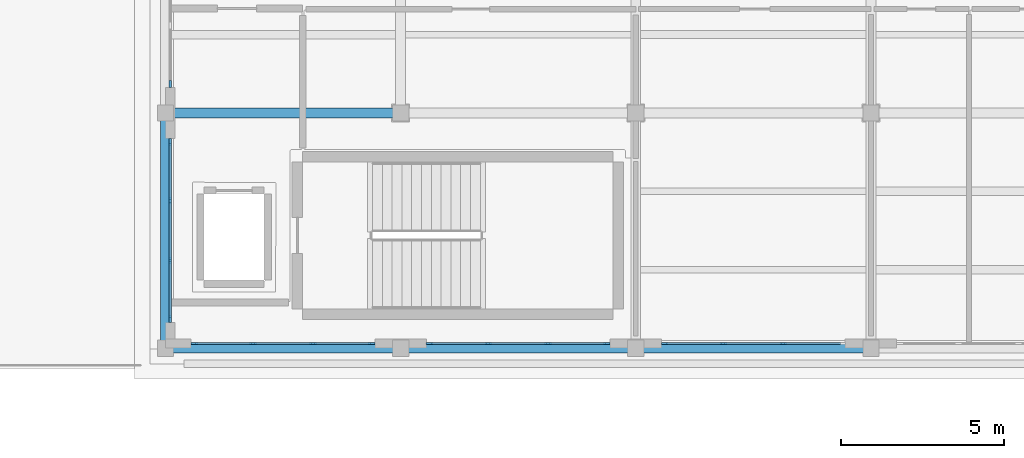
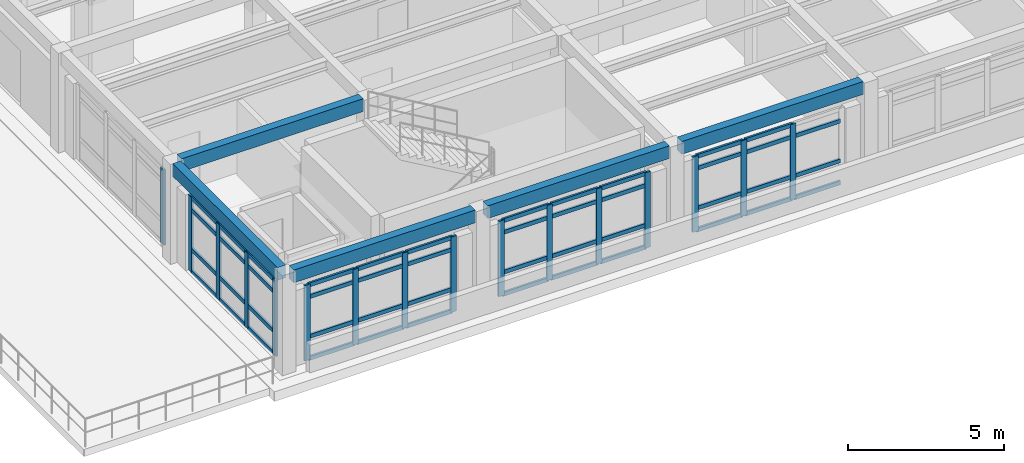
# One storey, part 2 of 15: 63 members, 5 beams, 5 elements without a shape of their own.
"""IFC4 building model written with IfcOpenShell, lengths in metres."""

from ifc_helpers import new_model, si_unit, direction, frame, origin, origin_2d, place, context, subcontext, project, spatial, rectangle, extrude, material, layer, layer_set, material_profile, profile_set, type_object, element, aggregate, save


model = new_model("IFC4")

# Units and contexts
model_context = context("Model", 3, precision=1e-05, world=origin(), true_north=direction((0.0, 1.0)))
body_context = subcontext(model_context, "Body", "Model", "MODEL_VIEW")
ifc_project = project(units=[si_unit("LENGTHUNIT", "METRE"), si_unit("AREAUNIT", "SQUARE_METRE"), si_unit("VOLUMEUNIT", "CUBIC_METRE"), si_unit("PLANEANGLEUNIT", "RADIAN"), si_unit("MASSUNIT", "GRAM", prefix="KILO")], contexts=[model_context])

# Site, building, storey
site_placement = place(None, origin())
site = spatial("IfcSite", under=ifc_project, at=site_placement, CompositionType="ELEMENT")
building_placement = place(site_placement, origin())
building = spatial("IfcBuilding", under=site, at=building_placement, Name="Solenvale Faculty of Natural Sciences", CompositionType="ELEMENT")
storey_placement = place(building_placement, frame((0.0, 0.0, 48.0)))
storey = spatial("IfcBuildingStorey", under=building, at=storey_placement, Name="L11", CompositionType="ELEMENT", Elevation=48.0)

# Beams
ifc_material_1 = material(Name="Concrete 40 MPa", Category="concrete")
ifc_material_profile_1 = material_profile(ifc_material_1, rectangle(XDim=0.300048828125, YDim=0.5, at=origin_2d()), Name="RC-BM-300x500")
ifc_profile_set_1 = profile_set([ifc_material_profile_1], Name="Concrete 40 MPa")
beam_type = type_object("IfcBeamType", Name="BM-RC-300x500", PredefinedType="BEAM", material=ifc_profile_set_1)
for number, where, z_axis, x_axis, name in (
    (1, (101.030029296875, 93.60009765625, 3.669921875), (1.0, 0.0, 0.0), (0.0, 1.0, 0.0), "L11 X-Girder Y93.6 (100.8..108.0)"),
    (2, (108.22998046875, 93.60009765625, 3.669921875), (1.0, 0.0, 0.0), (0.0, 1.0, 0.0), "L11 X-Girder Y93.6 (108.0..115.2)"),
    (3, (115.429931640625, 93.60009765625, 3.669921875), (1.0, 0.0, 0.0), (0.0, 1.0, 0.0), "L11 X-Girder Y93.6 (115.2..122.4)"),
    (4, (101.030029296875, 100.800048828125, 3.669921875), (1.0, 0.0, 0.0), (0.0, 1.0, 0.0), "L11 X-Girder Y100.8 (100.8..108.0)"),
    (5, (100.800048828125, 93.830078125, 3.669921875), (0.0, 1.0, 0.0), (-1.0, 0.0, 0.0), "L11 Y-Girder X100.8 (93.6..100.8)"),
):
    element("IfcBeam", number, at=place(storey_placement, frame(where, z_axis=z_axis, x_axis=x_axis)), inside=storey, type_object=beam_type, Name=name, PredefinedType="BEAM", context=body_context, shape_type="SweptSolid", body=[
        extrude(rectangle(XDim=0.300048828125, YDim=0.5, at=origin_2d()), origin(), (0.0, 0.0, 1.0), 6.739990234375),
    ])

# Curtain wall, member
ifc_material_2 = material(Name="Anodised bronze aluminium", Category="aluminium")
ifc_layer = layer(ifc_material_2, 0.179931640625)
ifc_layer_set = layer_set([ifc_layer], Name="Anodised bronze aluminium")
curtain_wall_type = type_object("IfcCurtainWallType", Name="CW-TWR-MOD", PredefinedType="USERDEFINED", material=ifc_layer_set)
curtain_wall_1_placement = place(storey_placement, origin())
curtain_wall_1 = element("IfcCurtainWall", 6, at=curtain_wall_1_placement, inside=storey, type_object=curtain_wall_type, Name="L11 Curtain Wall CW-L11-P1-E3-B2", ObjectType="UNITISED CURTAIN WALL", PredefinedType="USERDEFINED")
ifc_material_profile_2 = material_profile(ifc_material_2, rectangle(XDim=0.074951171875, YDim=0.2099609375, at=origin_2d()), Name="ALU-MUL-75x210")
ifc_profile_set_2 = profile_set([ifc_material_profile_2], Name="Anodised bronze aluminium")
member_type_1 = type_object("IfcMemberType", Name="CWM-ALU-75x210", PredefinedType="MULLION", material=ifc_profile_set_2)
member_1_placement = place(storey_placement, frame((100.9423828125, 101.6875, 0.0), z_axis=(0.0, 0.0, 1.0), x_axis=(1.0, 0.0, 0.0)))
member_1 = element("IfcMember", 7, at=member_1_placement, type_object=member_type_1, Name="CW-04 mullion 4", PredefinedType="MULLION", context=body_context, shape_type="SweptSolid", body=[
    extrude(rectangle(XDim=0.074951171875, YDim=0.2099609375, at=origin_2d()), origin(), (0.0, 0.0, 1.0), 2.9599609375),
])
aggregate(curtain_wall_1, [member_1])

# Curtain wall, members
curtain_wall_2_placement = place(storey_placement, origin())
curtain_wall_2 = element("IfcCurtainWall", 8, at=curtain_wall_2_placement, inside=storey, type_object=curtain_wall_type, Name="L11 Curtain Wall CW-L11-P1-E3-B3", ObjectType="UNITISED CURTAIN WALL", PredefinedType="USERDEFINED")
member_2_placement = place(storey_placement, frame((100.9423828125, 99.91259765625, 0.0), z_axis=(0.0, 0.0, 1.0), x_axis=(1.0, 0.0, 0.0)))
member_2 = element("IfcMember", 9, at=member_2_placement, type_object=member_type_1, Name="CW-04 mullion 1", PredefinedType="MULLION", context=body_context, shape_type="SweptSolid", body=[
    extrude(rectangle(XDim=0.074951171875, YDim=0.2099609375, at=origin_2d()), origin(), (0.0, 0.0, 1.0), 2.9599609375),
])
member_3_placement = place(storey_placement, frame((100.9423828125, 98.11669921875, 0.0), z_axis=(0.0, 0.0, 1.0), x_axis=(1.0, 0.0, 0.0)))
member_3 = element("IfcMember", 10, at=member_3_placement, type_object=member_type_1, Name="CW-04 mullion 2", PredefinedType="MULLION", context=body_context, shape_type="SweptSolid", body=[
    extrude(rectangle(XDim=0.074951171875, YDim=0.2099609375, at=origin_2d()), origin(), (0.0, 0.0, 1.0), 2.9599609375),
])
member_4_placement = place(storey_placement, frame((100.9423828125, 96.283447265625, 0.0), z_axis=(0.0, 0.0, 1.0), x_axis=(1.0, 0.0, 0.0)))
member_4 = element("IfcMember", 11, at=member_4_placement, type_object=member_type_1, Name="CW-04 mullion 3", PredefinedType="MULLION", context=body_context, shape_type="SweptSolid", body=[
    extrude(rectangle(XDim=0.074951171875, YDim=0.2099609375, at=origin_2d()), origin(), (0.0, 0.0, 1.0), 2.9599609375),
])
member_5_placement = place(storey_placement, frame((100.9423828125, 94.487548828125, 0.0), z_axis=(0.0, 0.0, 1.0), x_axis=(1.0, 0.0, 0.0)))
member_5 = element("IfcMember", 12, at=member_5_placement, type_object=member_type_1, Name="CW-04 mullion 4", PredefinedType="MULLION", context=body_context, shape_type="SweptSolid", body=[
    extrude(rectangle(XDim=0.074951171875, YDim=0.2099609375, at=origin_2d()), origin(), (0.0, 0.0, 1.0), 2.9599609375),
])

curtain_wall_3_placement = place(storey_placement, origin())
curtain_wall_3 = element("IfcCurtainWall", 13, at=curtain_wall_3_placement, inside=storey, type_object=curtain_wall_type, Name="L11 Curtain Wall CW-L11-P1-E4-B1", ObjectType="UNITISED CURTAIN WALL", PredefinedType="USERDEFINED")
member_6_placement = place(storey_placement, frame((101.6875, 93.742431640625, 0.0), z_axis=(0.0, 0.0, 1.0), x_axis=(0.0, 1.0, 0.0)))
member_6 = element("IfcMember", 14, at=member_6_placement, type_object=member_type_1, Name="CW-04 mullion 1", PredefinedType="MULLION", context=body_context, shape_type="SweptSolid", body=[
    extrude(rectangle(XDim=0.074951171875, YDim=0.2099609375, at=origin_2d()), origin(), (0.0, 0.0, 1.0), 2.9599609375),
])
member_7_placement = place(storey_placement, frame((103.4833984375, 93.742431640625, 0.0), z_axis=(0.0, 0.0, 1.0), x_axis=(0.0, 1.0, 0.0)))
member_7 = element("IfcMember", 15, at=member_7_placement, type_object=member_type_1, Name="CW-04 mullion 2", PredefinedType="MULLION", context=body_context, shape_type="SweptSolid", body=[
    extrude(rectangle(XDim=0.074951171875, YDim=0.2099609375, at=origin_2d()), origin(), (0.0, 0.0, 1.0), 2.9599609375),
])
member_8_placement = place(storey_placement, frame((105.316650390625, 93.742431640625, 0.0), z_axis=(0.0, 0.0, 1.0), x_axis=(0.0, 1.0, 0.0)))
member_8 = element("IfcMember", 16, at=member_8_placement, type_object=member_type_1, Name="CW-04 mullion 3", PredefinedType="MULLION", context=body_context, shape_type="SweptSolid", body=[
    extrude(rectangle(XDim=0.074951171875, YDim=0.2099609375, at=origin_2d()), origin(), (0.0, 0.0, 1.0), 2.9599609375),
])
member_9_placement = place(storey_placement, frame((107.112548828125, 93.742431640625, 0.0), z_axis=(0.0, 0.0, 1.0), x_axis=(0.0, 1.0, 0.0)))
member_9 = element("IfcMember", 17, at=member_9_placement, type_object=member_type_1, Name="CW-04 mullion 4", PredefinedType="MULLION", context=body_context, shape_type="SweptSolid", body=[
    extrude(rectangle(XDim=0.074951171875, YDim=0.2099609375, at=origin_2d()), origin(), (0.0, 0.0, 1.0), 2.9599609375),
])

curtain_wall_4_placement = place(storey_placement, origin())
curtain_wall_4 = element("IfcCurtainWall", 18, at=curtain_wall_4_placement, inside=storey, type_object=curtain_wall_type, Name="L11 Curtain Wall CW-L11-P1-E4-B2", ObjectType="UNITISED CURTAIN WALL", PredefinedType="USERDEFINED")
member_10_placement = place(storey_placement, frame((108.887451171875, 93.742431640625, 0.0), z_axis=(0.0, 0.0, 1.0), x_axis=(0.0, 1.0, 0.0)))
member_10 = element("IfcMember", 19, at=member_10_placement, type_object=member_type_1, Name="CW-04 mullion 1", PredefinedType="MULLION", context=body_context, shape_type="SweptSolid", body=[
    extrude(rectangle(XDim=0.074951171875, YDim=0.2099609375, at=origin_2d()), origin(), (0.0, 0.0, 1.0), 2.9599609375),
])
member_11_placement = place(storey_placement, frame((110.683349609375, 93.742431640625, 0.0), z_axis=(0.0, 0.0, 1.0), x_axis=(0.0, 1.0, 0.0)))
member_11 = element("IfcMember", 20, at=member_11_placement, type_object=member_type_1, Name="CW-04 mullion 2", PredefinedType="MULLION", context=body_context, shape_type="SweptSolid", body=[
    extrude(rectangle(XDim=0.074951171875, YDim=0.2099609375, at=origin_2d()), origin(), (0.0, 0.0, 1.0), 2.9599609375),
])
member_12_placement = place(storey_placement, frame((112.5166015625, 93.742431640625, 0.0), z_axis=(0.0, 0.0, 1.0), x_axis=(0.0, 1.0, 0.0)))
member_12 = element("IfcMember", 21, at=member_12_placement, type_object=member_type_1, Name="CW-04 mullion 3", PredefinedType="MULLION", context=body_context, shape_type="SweptSolid", body=[
    extrude(rectangle(XDim=0.074951171875, YDim=0.2099609375, at=origin_2d()), origin(), (0.0, 0.0, 1.0), 2.9599609375),
])
member_13_placement = place(storey_placement, frame((114.3125, 93.742431640625, 0.0), z_axis=(0.0, 0.0, 1.0), x_axis=(0.0, 1.0, 0.0)))
member_13 = element("IfcMember", 22, at=member_13_placement, type_object=member_type_1, Name="CW-04 mullion 4", PredefinedType="MULLION", context=body_context, shape_type="SweptSolid", body=[
    extrude(rectangle(XDim=0.074951171875, YDim=0.2099609375, at=origin_2d()), origin(), (0.0, 0.0, 1.0), 2.9599609375),
])

curtain_wall_5_placement = place(storey_placement, origin())
curtain_wall_5 = element("IfcCurtainWall", 23, at=curtain_wall_5_placement, inside=storey, type_object=curtain_wall_type, Name="L11 Curtain Wall CW-L11-P1-E4-B3", ObjectType="UNITISED CURTAIN WALL", PredefinedType="USERDEFINED")
member_14_placement = place(storey_placement, frame((116.08740234375, 93.742431640625, 0.0), z_axis=(0.0, 0.0, 1.0), x_axis=(0.0, 1.0, 0.0)))
member_14 = element("IfcMember", 24, at=member_14_placement, type_object=member_type_1, Name="CW-04 mullion 1", PredefinedType="MULLION", context=body_context, shape_type="SweptSolid", body=[
    extrude(rectangle(XDim=0.074951171875, YDim=0.2099609375, at=origin_2d()), origin(), (0.0, 0.0, 1.0), 2.9599609375),
])
member_15_placement = place(storey_placement, frame((117.88330078125, 93.742431640625, 0.0), z_axis=(0.0, 0.0, 1.0), x_axis=(0.0, 1.0, 0.0)))
member_15 = element("IfcMember", 25, at=member_15_placement, type_object=member_type_1, Name="CW-04 mullion 2", PredefinedType="MULLION", context=body_context, shape_type="SweptSolid", body=[
    extrude(rectangle(XDim=0.074951171875, YDim=0.2099609375, at=origin_2d()), origin(), (0.0, 0.0, 1.0), 2.9599609375),
])
member_16_placement = place(storey_placement, frame((119.716552734375, 93.742431640625, 0.0), z_axis=(0.0, 0.0, 1.0), x_axis=(0.0, 1.0, 0.0)))
member_16 = element("IfcMember", 26, at=member_16_placement, type_object=member_type_1, Name="CW-04 mullion 3", PredefinedType="MULLION", context=body_context, shape_type="SweptSolid", body=[
    extrude(rectangle(XDim=0.074951171875, YDim=0.2099609375, at=origin_2d()), origin(), (0.0, 0.0, 1.0), 2.9599609375),
])

# Member
ifc_material_profile_3 = material_profile(ifc_material_2, rectangle(XDim=0.074951171875, YDim=0.155029296875, at=origin_2d()), Name="ALU-TRN-75x155")
ifc_profile_set_3 = profile_set([ifc_material_profile_3], Name="Anodised bronze aluminium")
member_type_2 = type_object("IfcMemberType", Name="CWT-ALU-75x155", PredefinedType="USERDEFINED", material=ifc_profile_set_3)
member_17_placement = place(storey_placement, frame((100.9423828125, 99.875, 0.03759765625), z_axis=(0.0, -1.0, 0.0), x_axis=(1.0, 0.0, 0.0)))
member_17 = element("IfcMember", 27, at=member_17_placement, type_object=member_type_2, Name="CW-04 transom 1.1", ObjectType="TRANSOM", PredefinedType="USERDEFINED", context=body_context, shape_type="SweptSolid", body=[
    extrude(rectangle(XDim=0.074951171875, YDim=0.155029296875, at=origin_2d()), origin(), (0.0, 0.0, 1.0), 1.720947265625),
])

member_18_placement = place(storey_placement, frame((100.9423828125, 99.875, 0.89990234375), z_axis=(0.0, -1.0, 0.0), x_axis=(1.0, 0.0, 0.0)))
member_18 = element("IfcMember", 28, at=member_18_placement, type_object=member_type_2, Name="CW-04 transom 1.2", ObjectType="TRANSOM", PredefinedType="USERDEFINED", context=body_context, shape_type="SweptSolid", body=[
    extrude(rectangle(XDim=0.074951171875, YDim=0.155029296875, at=origin_2d()), origin(), (0.0, 0.0, 1.0), 1.720947265625),
])

member_19_placement = place(storey_placement, frame((100.9423828125, 99.875, 2.4599609375), z_axis=(0.0, -1.0, 0.0), x_axis=(1.0, 0.0, 0.0)))
member_19 = element("IfcMember", 29, at=member_19_placement, type_object=member_type_2, Name="CW-04 transom 1.3", ObjectType="TRANSOM", PredefinedType="USERDEFINED", context=body_context, shape_type="SweptSolid", body=[
    extrude(rectangle(XDim=0.074951171875, YDim=0.155029296875, at=origin_2d()), origin(), (0.0, 0.0, 1.0), 1.720947265625),
])

member_20_placement = place(storey_placement, frame((100.9423828125, 99.875, 2.922607421875), z_axis=(0.0, -1.0, 0.0), x_axis=(1.0, 0.0, 0.0)))
member_20 = element("IfcMember", 30, at=member_20_placement, type_object=member_type_2, Name="CW-04 transom 1.4", ObjectType="TRANSOM", PredefinedType="USERDEFINED", context=body_context, shape_type="SweptSolid", body=[
    extrude(rectangle(XDim=0.074951171875, YDim=0.155029296875, at=origin_2d()), origin(), (0.0, 0.0, 1.0), 1.720947265625),
])

member_21_placement = place(storey_placement, frame((100.9423828125, 98.0791015625, 0.03759765625), z_axis=(0.0, -1.0, 0.0), x_axis=(1.0, 0.0, 0.0)))
member_21 = element("IfcMember", 31, at=member_21_placement, type_object=member_type_2, Name="CW-04 transom 2.1", ObjectType="TRANSOM", PredefinedType="USERDEFINED", context=body_context, shape_type="SweptSolid", body=[
    extrude(rectangle(XDim=0.074951171875, YDim=0.155029296875, at=origin_2d()), origin(), (0.0, 0.0, 1.0), 1.75830078125),
])

member_22_placement = place(storey_placement, frame((100.9423828125, 98.0791015625, 0.89990234375), z_axis=(0.0, -1.0, 0.0), x_axis=(1.0, 0.0, 0.0)))
member_22 = element("IfcMember", 32, at=member_22_placement, type_object=member_type_2, Name="CW-04 transom 2.2", ObjectType="TRANSOM", PredefinedType="USERDEFINED", context=body_context, shape_type="SweptSolid", body=[
    extrude(rectangle(XDim=0.074951171875, YDim=0.155029296875, at=origin_2d()), origin(), (0.0, 0.0, 1.0), 1.75830078125),
])

member_23_placement = place(storey_placement, frame((100.9423828125, 98.0791015625, 2.4599609375), z_axis=(0.0, -1.0, 0.0), x_axis=(1.0, 0.0, 0.0)))
member_23 = element("IfcMember", 33, at=member_23_placement, type_object=member_type_2, Name="CW-04 transom 2.3", ObjectType="TRANSOM", PredefinedType="USERDEFINED", context=body_context, shape_type="SweptSolid", body=[
    extrude(rectangle(XDim=0.074951171875, YDim=0.155029296875, at=origin_2d()), origin(), (0.0, 0.0, 1.0), 1.75830078125),
])

member_24_placement = place(storey_placement, frame((100.9423828125, 98.0791015625, 2.922607421875), z_axis=(0.0, -1.0, 0.0), x_axis=(1.0, 0.0, 0.0)))
member_24 = element("IfcMember", 34, at=member_24_placement, type_object=member_type_2, Name="CW-04 transom 2.4", ObjectType="TRANSOM", PredefinedType="USERDEFINED", context=body_context, shape_type="SweptSolid", body=[
    extrude(rectangle(XDim=0.074951171875, YDim=0.155029296875, at=origin_2d()), origin(), (0.0, 0.0, 1.0), 1.75830078125),
])

member_25_placement = place(storey_placement, frame((100.9423828125, 96.245849609375, 0.03759765625), z_axis=(0.0, -1.0, 0.0), x_axis=(1.0, 0.0, 0.0)))
member_25 = element("IfcMember", 35, at=member_25_placement, type_object=member_type_2, Name="CW-04 transom 3.1", ObjectType="TRANSOM", PredefinedType="USERDEFINED", context=body_context, shape_type="SweptSolid", body=[
    extrude(rectangle(XDim=0.074951171875, YDim=0.155029296875, at=origin_2d()), origin(), (0.0, 0.0, 1.0), 1.720947265625),
])

member_26_placement = place(storey_placement, frame((100.9423828125, 96.245849609375, 0.89990234375), z_axis=(0.0, -1.0, 0.0), x_axis=(1.0, 0.0, 0.0)))
member_26 = element("IfcMember", 36, at=member_26_placement, type_object=member_type_2, Name="CW-04 transom 3.2", ObjectType="TRANSOM", PredefinedType="USERDEFINED", context=body_context, shape_type="SweptSolid", body=[
    extrude(rectangle(XDim=0.074951171875, YDim=0.155029296875, at=origin_2d()), origin(), (0.0, 0.0, 1.0), 1.720947265625),
])

member_27_placement = place(storey_placement, frame((100.9423828125, 96.245849609375, 2.4599609375), z_axis=(0.0, -1.0, 0.0), x_axis=(1.0, 0.0, 0.0)))
member_27 = element("IfcMember", 37, at=member_27_placement, type_object=member_type_2, Name="CW-04 transom 3.3", ObjectType="TRANSOM", PredefinedType="USERDEFINED", context=body_context, shape_type="SweptSolid", body=[
    extrude(rectangle(XDim=0.074951171875, YDim=0.155029296875, at=origin_2d()), origin(), (0.0, 0.0, 1.0), 1.720947265625),
])

member_28_placement = place(storey_placement, frame((100.9423828125, 96.245849609375, 2.922607421875), z_axis=(0.0, -1.0, 0.0), x_axis=(1.0, 0.0, 0.0)))
member_28 = element("IfcMember", 38, at=member_28_placement, type_object=member_type_2, Name="CW-04 transom 3.4", ObjectType="TRANSOM", PredefinedType="USERDEFINED", context=body_context, shape_type="SweptSolid", body=[
    extrude(rectangle(XDim=0.074951171875, YDim=0.155029296875, at=origin_2d()), origin(), (0.0, 0.0, 1.0), 1.720947265625),
])

aggregate(curtain_wall_2, [member_2, member_3, member_4, member_5, member_17, member_18, member_19, member_20, member_21, member_22, member_23, member_24, member_25, member_26, member_27, member_28])

member_29_placement = place(storey_placement, frame((101.72509765625, 93.742431640625, 0.03759765625), z_axis=(1.0, 0.0, 0.0), x_axis=(0.0, 1.0, 0.0)))
member_29 = element("IfcMember", 39, at=member_29_placement, type_object=member_type_2, Name="CW-04 transom 1.1", ObjectType="TRANSOM", PredefinedType="USERDEFINED", context=body_context, shape_type="SweptSolid", body=[
    extrude(rectangle(XDim=0.074951171875, YDim=0.155029296875, at=origin_2d()), origin(), (0.0, 0.0, 1.0), 1.720703125),
])

member_30_placement = place(storey_placement, frame((101.72509765625, 93.742431640625, 0.89990234375), z_axis=(1.0, 0.0, 0.0), x_axis=(0.0, 1.0, 0.0)))
member_30 = element("IfcMember", 40, at=member_30_placement, type_object=member_type_2, Name="CW-04 transom 1.2", ObjectType="TRANSOM", PredefinedType="USERDEFINED", context=body_context, shape_type="SweptSolid", body=[
    extrude(rectangle(XDim=0.074951171875, YDim=0.155029296875, at=origin_2d()), origin(), (0.0, 0.0, 1.0), 1.720703125),
])

member_31_placement = place(storey_placement, frame((101.72509765625, 93.742431640625, 2.4599609375), z_axis=(1.0, 0.0, 0.0), x_axis=(0.0, 1.0, 0.0)))
member_31 = element("IfcMember", 41, at=member_31_placement, type_object=member_type_2, Name="CW-04 transom 1.3", ObjectType="TRANSOM", PredefinedType="USERDEFINED", context=body_context, shape_type="SweptSolid", body=[
    extrude(rectangle(XDim=0.074951171875, YDim=0.155029296875, at=origin_2d()), origin(), (0.0, 0.0, 1.0), 1.720703125),
])

member_32_placement = place(storey_placement, frame((101.72509765625, 93.742431640625, 2.922607421875), z_axis=(1.0, 0.0, 0.0), x_axis=(0.0, 1.0, 0.0)))
member_32 = element("IfcMember", 42, at=member_32_placement, type_object=member_type_2, Name="CW-04 transom 1.4", ObjectType="TRANSOM", PredefinedType="USERDEFINED", context=body_context, shape_type="SweptSolid", body=[
    extrude(rectangle(XDim=0.074951171875, YDim=0.155029296875, at=origin_2d()), origin(), (0.0, 0.0, 1.0), 1.720703125),
])

member_33_placement = place(storey_placement, frame((103.520751953125, 93.742431640625, 0.03759765625), z_axis=(1.0, 0.0, 0.0), x_axis=(0.0, 1.0, 0.0)))
member_33 = element("IfcMember", 43, at=member_33_placement, type_object=member_type_2, Name="CW-04 transom 2.1", ObjectType="TRANSOM", PredefinedType="USERDEFINED", context=body_context, shape_type="SweptSolid", body=[
    extrude(rectangle(XDim=0.074951171875, YDim=0.155029296875, at=origin_2d()), origin(), (0.0, 0.0, 1.0), 1.75830078125),
])

member_34_placement = place(storey_placement, frame((103.520751953125, 93.742431640625, 0.89990234375), z_axis=(1.0, 0.0, 0.0), x_axis=(0.0, 1.0, 0.0)))
member_34 = element("IfcMember", 44, at=member_34_placement, type_object=member_type_2, Name="CW-04 transom 2.2", ObjectType="TRANSOM", PredefinedType="USERDEFINED", context=body_context, shape_type="SweptSolid", body=[
    extrude(rectangle(XDim=0.074951171875, YDim=0.155029296875, at=origin_2d()), origin(), (0.0, 0.0, 1.0), 1.75830078125),
])

member_35_placement = place(storey_placement, frame((103.520751953125, 93.742431640625, 2.4599609375), z_axis=(1.0, 0.0, 0.0), x_axis=(0.0, 1.0, 0.0)))
member_35 = element("IfcMember", 45, at=member_35_placement, type_object=member_type_2, Name="CW-04 transom 2.3", ObjectType="TRANSOM", PredefinedType="USERDEFINED", context=body_context, shape_type="SweptSolid", body=[
    extrude(rectangle(XDim=0.074951171875, YDim=0.155029296875, at=origin_2d()), origin(), (0.0, 0.0, 1.0), 1.75830078125),
])

member_36_placement = place(storey_placement, frame((103.520751953125, 93.742431640625, 2.922607421875), z_axis=(1.0, 0.0, 0.0), x_axis=(0.0, 1.0, 0.0)))
member_36 = element("IfcMember", 46, at=member_36_placement, type_object=member_type_2, Name="CW-04 transom 2.4", ObjectType="TRANSOM", PredefinedType="USERDEFINED", context=body_context, shape_type="SweptSolid", body=[
    extrude(rectangle(XDim=0.074951171875, YDim=0.155029296875, at=origin_2d()), origin(), (0.0, 0.0, 1.0), 1.75830078125),
])

member_37_placement = place(storey_placement, frame((105.354248046875, 93.742431640625, 0.03759765625), z_axis=(1.0, 0.0, 0.0), x_axis=(0.0, 1.0, 0.0)))
member_37 = element("IfcMember", 47, at=member_37_placement, type_object=member_type_2, Name="CW-04 transom 3.1", ObjectType="TRANSOM", PredefinedType="USERDEFINED", context=body_context, shape_type="SweptSolid", body=[
    extrude(rectangle(XDim=0.074951171875, YDim=0.155029296875, at=origin_2d()), origin(), (0.0, 0.0, 1.0), 1.720703125),
])

member_38_placement = place(storey_placement, frame((105.354248046875, 93.742431640625, 0.89990234375), z_axis=(1.0, 0.0, 0.0), x_axis=(0.0, 1.0, 0.0)))
member_38 = element("IfcMember", 48, at=member_38_placement, type_object=member_type_2, Name="CW-04 transom 3.2", ObjectType="TRANSOM", PredefinedType="USERDEFINED", context=body_context, shape_type="SweptSolid", body=[
    extrude(rectangle(XDim=0.074951171875, YDim=0.155029296875, at=origin_2d()), origin(), (0.0, 0.0, 1.0), 1.720703125),
])

member_39_placement = place(storey_placement, frame((105.354248046875, 93.742431640625, 2.4599609375), z_axis=(1.0, 0.0, 0.0), x_axis=(0.0, 1.0, 0.0)))
member_39 = element("IfcMember", 49, at=member_39_placement, type_object=member_type_2, Name="CW-04 transom 3.3", ObjectType="TRANSOM", PredefinedType="USERDEFINED", context=body_context, shape_type="SweptSolid", body=[
    extrude(rectangle(XDim=0.074951171875, YDim=0.155029296875, at=origin_2d()), origin(), (0.0, 0.0, 1.0), 1.720703125),
])

member_40_placement = place(storey_placement, frame((105.354248046875, 93.742431640625, 2.922607421875), z_axis=(1.0, 0.0, 0.0), x_axis=(0.0, 1.0, 0.0)))
member_40 = element("IfcMember", 50, at=member_40_placement, type_object=member_type_2, Name="CW-04 transom 3.4", ObjectType="TRANSOM", PredefinedType="USERDEFINED", context=body_context, shape_type="SweptSolid", body=[
    extrude(rectangle(XDim=0.074951171875, YDim=0.155029296875, at=origin_2d()), origin(), (0.0, 0.0, 1.0), 1.720703125),
])

aggregate(curtain_wall_3, [member_6, member_7, member_8, member_9, member_29, member_30, member_31, member_32, member_33, member_34, member_35, member_36, member_37, member_38, member_39, member_40])

member_41_placement = place(storey_placement, frame((108.925048828125, 93.742431640625, 0.03759765625), z_axis=(1.0, 0.0, 0.0), x_axis=(0.0, 1.0, 0.0)))
member_41 = element("IfcMember", 51, at=member_41_placement, type_object=member_type_2, Name="CW-04 transom 1.1", ObjectType="TRANSOM", PredefinedType="USERDEFINED", context=body_context, shape_type="SweptSolid", body=[
    extrude(rectangle(XDim=0.074951171875, YDim=0.155029296875, at=origin_2d()), origin(), (0.0, 0.0, 1.0), 1.720703125),
])

member_42_placement = place(storey_placement, frame((108.925048828125, 93.742431640625, 0.89990234375), z_axis=(1.0, 0.0, 0.0), x_axis=(0.0, 1.0, 0.0)))
member_42 = element("IfcMember", 52, at=member_42_placement, type_object=member_type_2, Name="CW-04 transom 1.2", ObjectType="TRANSOM", PredefinedType="USERDEFINED", context=body_context, shape_type="SweptSolid", body=[
    extrude(rectangle(XDim=0.074951171875, YDim=0.155029296875, at=origin_2d()), origin(), (0.0, 0.0, 1.0), 1.720703125),
])

member_43_placement = place(storey_placement, frame((108.925048828125, 93.742431640625, 2.4599609375), z_axis=(1.0, 0.0, 0.0), x_axis=(0.0, 1.0, 0.0)))
member_43 = element("IfcMember", 53, at=member_43_placement, type_object=member_type_2, Name="CW-04 transom 1.3", ObjectType="TRANSOM", PredefinedType="USERDEFINED", context=body_context, shape_type="SweptSolid", body=[
    extrude(rectangle(XDim=0.074951171875, YDim=0.155029296875, at=origin_2d()), origin(), (0.0, 0.0, 1.0), 1.720703125),
])

member_44_placement = place(storey_placement, frame((108.925048828125, 93.742431640625, 2.922607421875), z_axis=(1.0, 0.0, 0.0), x_axis=(0.0, 1.0, 0.0)))
member_44 = element("IfcMember", 54, at=member_44_placement, type_object=member_type_2, Name="CW-04 transom 1.4", ObjectType="TRANSOM", PredefinedType="USERDEFINED", context=body_context, shape_type="SweptSolid", body=[
    extrude(rectangle(XDim=0.074951171875, YDim=0.155029296875, at=origin_2d()), origin(), (0.0, 0.0, 1.0), 1.720703125),
])

member_45_placement = place(storey_placement, frame((110.720947265625, 93.742431640625, 0.03759765625), z_axis=(1.0, 0.0, 0.0), x_axis=(0.0, 1.0, 0.0)))
member_45 = element("IfcMember", 55, at=member_45_placement, type_object=member_type_2, Name="CW-04 transom 2.1", ObjectType="TRANSOM", PredefinedType="USERDEFINED", context=body_context, shape_type="SweptSolid", body=[
    extrude(rectangle(XDim=0.074951171875, YDim=0.155029296875, at=origin_2d()), origin(), (0.0, 0.0, 1.0), 1.75830078125),
])

member_46_placement = place(storey_placement, frame((110.720947265625, 93.742431640625, 0.89990234375), z_axis=(1.0, 0.0, 0.0), x_axis=(0.0, 1.0, 0.0)))
member_46 = element("IfcMember", 56, at=member_46_placement, type_object=member_type_2, Name="CW-04 transom 2.2", ObjectType="TRANSOM", PredefinedType="USERDEFINED", context=body_context, shape_type="SweptSolid", body=[
    extrude(rectangle(XDim=0.074951171875, YDim=0.155029296875, at=origin_2d()), origin(), (0.0, 0.0, 1.0), 1.75830078125),
])

member_47_placement = place(storey_placement, frame((110.720947265625, 93.742431640625, 2.4599609375), z_axis=(1.0, 0.0, 0.0), x_axis=(0.0, 1.0, 0.0)))
member_47 = element("IfcMember", 57, at=member_47_placement, type_object=member_type_2, Name="CW-04 transom 2.3", ObjectType="TRANSOM", PredefinedType="USERDEFINED", context=body_context, shape_type="SweptSolid", body=[
    extrude(rectangle(XDim=0.074951171875, YDim=0.155029296875, at=origin_2d()), origin(), (0.0, 0.0, 1.0), 1.75830078125),
])

member_48_placement = place(storey_placement, frame((110.720947265625, 93.742431640625, 2.922607421875), z_axis=(1.0, 0.0, 0.0), x_axis=(0.0, 1.0, 0.0)))
member_48 = element("IfcMember", 58, at=member_48_placement, type_object=member_type_2, Name="CW-04 transom 2.4", ObjectType="TRANSOM", PredefinedType="USERDEFINED", context=body_context, shape_type="SweptSolid", body=[
    extrude(rectangle(XDim=0.074951171875, YDim=0.155029296875, at=origin_2d()), origin(), (0.0, 0.0, 1.0), 1.75830078125),
])

member_49_placement = place(storey_placement, frame((112.55419921875, 93.742431640625, 0.03759765625), z_axis=(1.0, 0.0, 0.0), x_axis=(0.0, 1.0, 0.0)))
member_49 = element("IfcMember", 59, at=member_49_placement, type_object=member_type_2, Name="CW-04 transom 3.1", ObjectType="TRANSOM", PredefinedType="USERDEFINED", context=body_context, shape_type="SweptSolid", body=[
    extrude(rectangle(XDim=0.074951171875, YDim=0.155029296875, at=origin_2d()), origin(), (0.0, 0.0, 1.0), 1.720703125),
])

member_50_placement = place(storey_placement, frame((112.55419921875, 93.742431640625, 0.89990234375), z_axis=(1.0, 0.0, 0.0), x_axis=(0.0, 1.0, 0.0)))
member_50 = element("IfcMember", 60, at=member_50_placement, type_object=member_type_2, Name="CW-04 transom 3.2", ObjectType="TRANSOM", PredefinedType="USERDEFINED", context=body_context, shape_type="SweptSolid", body=[
    extrude(rectangle(XDim=0.074951171875, YDim=0.155029296875, at=origin_2d()), origin(), (0.0, 0.0, 1.0), 1.720703125),
])

member_51_placement = place(storey_placement, frame((112.55419921875, 93.742431640625, 2.4599609375), z_axis=(1.0, 0.0, 0.0), x_axis=(0.0, 1.0, 0.0)))
member_51 = element("IfcMember", 61, at=member_51_placement, type_object=member_type_2, Name="CW-04 transom 3.3", ObjectType="TRANSOM", PredefinedType="USERDEFINED", context=body_context, shape_type="SweptSolid", body=[
    extrude(rectangle(XDim=0.074951171875, YDim=0.155029296875, at=origin_2d()), origin(), (0.0, 0.0, 1.0), 1.720703125),
])

member_52_placement = place(storey_placement, frame((112.55419921875, 93.742431640625, 2.922607421875), z_axis=(1.0, 0.0, 0.0), x_axis=(0.0, 1.0, 0.0)))
member_52 = element("IfcMember", 62, at=member_52_placement, type_object=member_type_2, Name="CW-04 transom 3.4", ObjectType="TRANSOM", PredefinedType="USERDEFINED", context=body_context, shape_type="SweptSolid", body=[
    extrude(rectangle(XDim=0.074951171875, YDim=0.155029296875, at=origin_2d()), origin(), (0.0, 0.0, 1.0), 1.720703125),
])

aggregate(curtain_wall_4, [member_10, member_11, member_12, member_13, member_41, member_42, member_43, member_44, member_45, member_46, member_47, member_48, member_49, member_50, member_51, member_52])

member_53_placement = place(storey_placement, frame((116.125, 93.742431640625, 0.03759765625), z_axis=(1.0, 0.0, 0.0), x_axis=(0.0, 1.0, 0.0)))
member_53 = element("IfcMember", 63, at=member_53_placement, type_object=member_type_2, Name="CW-04 transom 1.1", ObjectType="TRANSOM", PredefinedType="USERDEFINED", context=body_context, shape_type="SweptSolid", body=[
    extrude(rectangle(XDim=0.074951171875, YDim=0.155029296875, at=origin_2d()), origin(), (0.0, 0.0, 1.0), 1.720947265625),
])

member_54_placement = place(storey_placement, frame((116.125, 93.742431640625, 0.89990234375), z_axis=(1.0, 0.0, 0.0), x_axis=(0.0, 1.0, 0.0)))
member_54 = element("IfcMember", 64, at=member_54_placement, type_object=member_type_2, Name="CW-04 transom 1.2", ObjectType="TRANSOM", PredefinedType="USERDEFINED", context=body_context, shape_type="SweptSolid", body=[
    extrude(rectangle(XDim=0.074951171875, YDim=0.155029296875, at=origin_2d()), origin(), (0.0, 0.0, 1.0), 1.720947265625),
])

member_55_placement = place(storey_placement, frame((116.125, 93.742431640625, 2.4599609375), z_axis=(1.0, 0.0, 0.0), x_axis=(0.0, 1.0, 0.0)))
member_55 = element("IfcMember", 65, at=member_55_placement, type_object=member_type_2, Name="CW-04 transom 1.3", ObjectType="TRANSOM", PredefinedType="USERDEFINED", context=body_context, shape_type="SweptSolid", body=[
    extrude(rectangle(XDim=0.074951171875, YDim=0.155029296875, at=origin_2d()), origin(), (0.0, 0.0, 1.0), 1.720947265625),
])

member_56_placement = place(storey_placement, frame((116.125, 93.742431640625, 2.922607421875), z_axis=(1.0, 0.0, 0.0), x_axis=(0.0, 1.0, 0.0)))
member_56 = element("IfcMember", 66, at=member_56_placement, type_object=member_type_2, Name="CW-04 transom 1.4", ObjectType="TRANSOM", PredefinedType="USERDEFINED", context=body_context, shape_type="SweptSolid", body=[
    extrude(rectangle(XDim=0.074951171875, YDim=0.155029296875, at=origin_2d()), origin(), (0.0, 0.0, 1.0), 1.720947265625),
])

member_57_placement = place(storey_placement, frame((117.9208984375, 93.742431640625, 0.03759765625), z_axis=(1.0, 0.0, 0.0), x_axis=(0.0, 1.0, 0.0)))
member_57 = element("IfcMember", 67, at=member_57_placement, type_object=member_type_2, Name="CW-04 transom 2.1", ObjectType="TRANSOM", PredefinedType="USERDEFINED", context=body_context, shape_type="SweptSolid", body=[
    extrude(rectangle(XDim=0.074951171875, YDim=0.155029296875, at=origin_2d()), origin(), (0.0, 0.0, 1.0), 1.75830078125),
])

member_58_placement = place(storey_placement, frame((117.9208984375, 93.742431640625, 0.89990234375), z_axis=(1.0, 0.0, 0.0), x_axis=(0.0, 1.0, 0.0)))
member_58 = element("IfcMember", 68, at=member_58_placement, type_object=member_type_2, Name="CW-04 transom 2.2", ObjectType="TRANSOM", PredefinedType="USERDEFINED", context=body_context, shape_type="SweptSolid", body=[
    extrude(rectangle(XDim=0.074951171875, YDim=0.155029296875, at=origin_2d()), origin(), (0.0, 0.0, 1.0), 1.75830078125),
])

member_59_placement = place(storey_placement, frame((117.9208984375, 93.742431640625, 2.4599609375), z_axis=(1.0, 0.0, 0.0), x_axis=(0.0, 1.0, 0.0)))
member_59 = element("IfcMember", 69, at=member_59_placement, type_object=member_type_2, Name="CW-04 transom 2.3", ObjectType="TRANSOM", PredefinedType="USERDEFINED", context=body_context, shape_type="SweptSolid", body=[
    extrude(rectangle(XDim=0.074951171875, YDim=0.155029296875, at=origin_2d()), origin(), (0.0, 0.0, 1.0), 1.75830078125),
])

member_60_placement = place(storey_placement, frame((117.9208984375, 93.742431640625, 2.922607421875), z_axis=(1.0, 0.0, 0.0), x_axis=(0.0, 1.0, 0.0)))
member_60 = element("IfcMember", 70, at=member_60_placement, type_object=member_type_2, Name="CW-04 transom 2.4", ObjectType="TRANSOM", PredefinedType="USERDEFINED", context=body_context, shape_type="SweptSolid", body=[
    extrude(rectangle(XDim=0.074951171875, YDim=0.155029296875, at=origin_2d()), origin(), (0.0, 0.0, 1.0), 1.75830078125),
])

member_61_placement = place(storey_placement, frame((119.754150390625, 93.742431640625, 0.03759765625), z_axis=(1.0, 0.0, 0.0), x_axis=(0.0, 1.0, 0.0)))
member_61 = element("IfcMember", 71, at=member_61_placement, type_object=member_type_2, Name="CW-04 transom 3.1", ObjectType="TRANSOM", PredefinedType="USERDEFINED", context=body_context, shape_type="SweptSolid", body=[
    extrude(rectangle(XDim=0.074951171875, YDim=0.155029296875, at=origin_2d()), origin(), (0.0, 0.0, 1.0), 1.720947265625),
])

member_62_placement = place(storey_placement, frame((119.754150390625, 93.742431640625, 0.89990234375), z_axis=(1.0, 0.0, 0.0), x_axis=(0.0, 1.0, 0.0)))
member_62 = element("IfcMember", 72, at=member_62_placement, type_object=member_type_2, Name="CW-04 transom 3.2", ObjectType="TRANSOM", PredefinedType="USERDEFINED", context=body_context, shape_type="SweptSolid", body=[
    extrude(rectangle(XDim=0.074951171875, YDim=0.155029296875, at=origin_2d()), origin(), (0.0, 0.0, 1.0), 1.720947265625),
])

member_63_placement = place(storey_placement, frame((119.754150390625, 93.742431640625, 2.4599609375), z_axis=(1.0, 0.0, 0.0), x_axis=(0.0, 1.0, 0.0)))
member_63 = element("IfcMember", 73, at=member_63_placement, type_object=member_type_2, Name="CW-04 transom 3.3", ObjectType="TRANSOM", PredefinedType="USERDEFINED", context=body_context, shape_type="SweptSolid", body=[
    extrude(rectangle(XDim=0.074951171875, YDim=0.155029296875, at=origin_2d()), origin(), (0.0, 0.0, 1.0), 1.720947265625),
])

aggregate(curtain_wall_5, [member_14, member_15, member_16, member_53, member_54, member_55, member_56, member_57, member_58, member_59, member_60, member_61, member_62, member_63])

save(model, "model.ifc")
